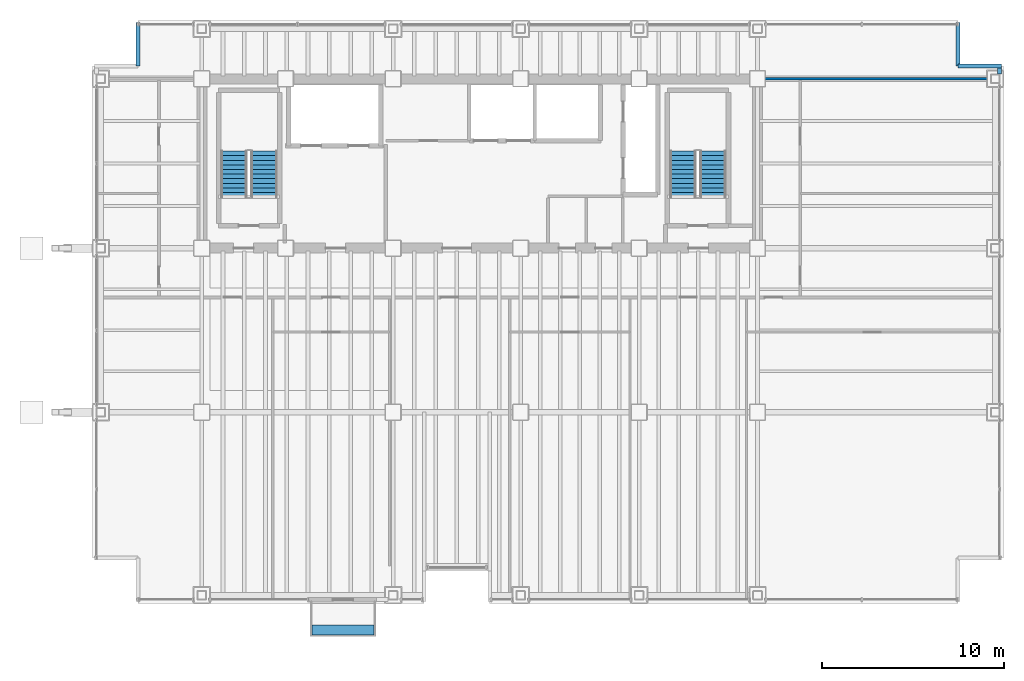
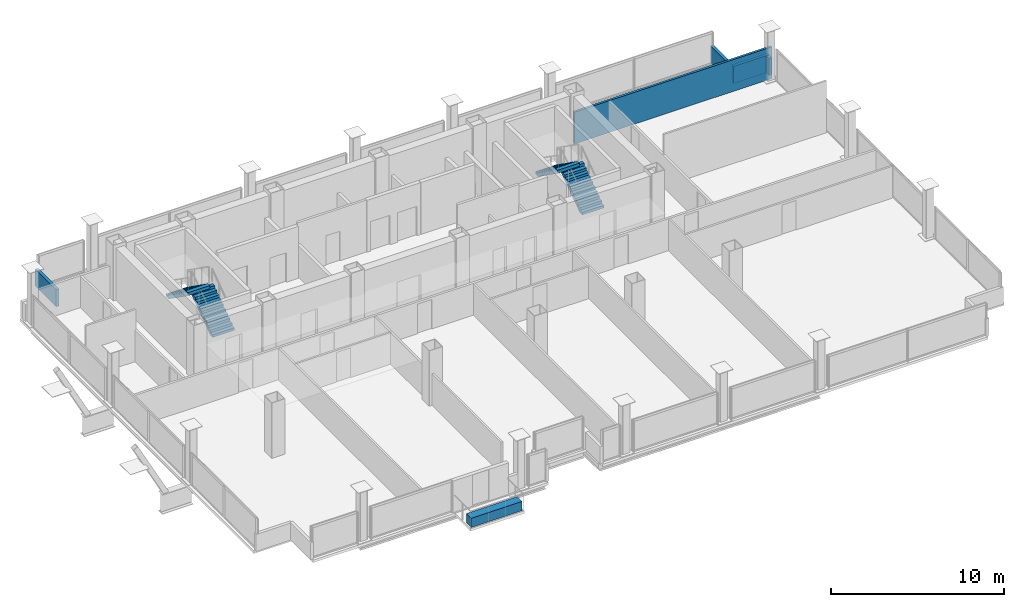
# One storey, part 20 of 21: 5 walls, 4 stair flights, 1 discrete accessory, 2 elements without a shape of their own.
"""IFC4 building model written with IfcOpenShell, lengths in metres."""

from ifc_helpers import new_model, si_unit, direction, frame, frame_2d, origin, origin_2d, place, context, subcontext, project, spatial, polyline, rectangle, outline, extrude, material, layer, layer_set, type_object, element, aggregate, save


model = new_model("IFC4")

# Units and contexts
model_context = context("Model", 3, precision=1e-05, world=origin(), true_north=direction((0.0, 1.0)))
body_context = subcontext(model_context, "Body", "Model", "MODEL_VIEW")
ifc_project = project(units=[si_unit("LENGTHUNIT", "METRE"), si_unit("AREAUNIT", "SQUARE_METRE"), si_unit("VOLUMEUNIT", "CUBIC_METRE"), si_unit("PLANEANGLEUNIT", "RADIAN"), si_unit("MASSUNIT", "GRAM", prefix="KILO")], contexts=[model_context])

# Site, building, storey
site_placement = place(None, origin())
site = spatial("IfcSite", under=ifc_project, at=site_placement, CompositionType="ELEMENT")
building_placement = place(site_placement, origin())
building = spatial("IfcBuilding", under=site, at=building_placement, Name="Noeulbin Bourse Tower", CompositionType="ELEMENT")
storey_placement = place(building_placement, frame((0.0, 0.0, 111.0)))
storey = spatial("IfcBuildingStorey", under=building, at=storey_placement, Name="L27", CompositionType="ELEMENT", Elevation=111.0)

# Walls
ifc_material_1 = material(Name="Concrete C40/50", Category="concrete")
ifc_layer_1 = layer(ifc_material_1, 0.199951171875)
ifc_layer_set_1 = layer_set([ifc_layer_1], Name="Concrete C40/50")
wall_type_1 = type_object("IfcWallType", Name="WAL-PAR-200", PredefinedType="PARAPET", material=ifc_layer_set_1)
wall_1_placement = place(storey_placement, frame((57.280029296875, 38.570068359375, 0.0), z_axis=(0.0, 0.0, 1.0), x_axis=(0.0, 1.0, 0.0)))
element("IfcWall", 1, at=wall_1_placement, inside=storey, type_object=wall_type_1, Name="Perimeter Pier Spandrel Parapet L27-E2", PredefinedType="PARAPET", context=body_context, shape_type="SweptSolid", body=[
    extrude(rectangle(XDim=0.329833984375, YDim=0.199951171875, at=frame_2d((0.1650390625, 0.0))), origin(), (0.0, 0.0, 1.0), 1.199951171875),
])
for number, where, z_axis, x_axis, name in (
    (2, (10.0, 39.0, 0.0), (0.0, 0.0, 1.0), (0.0, 1.0, 0.0), "Corner Notch Parapet L27-NW2"),
    (3, (55.0, 41.39990234375, 0.0), (0.0, 0.0, 1.0), (0.0, -1.0, 0.0), "Corner Notch Parapet L27-NE1"),
    (4, (55.0, 39.0, 0.0), (0.0, 0.0, 1.0), (1.0, 0.0, 0.0), "Corner Notch Parapet L27-NE2"),
):
    element("IfcWall", number, at=place(storey_placement, frame(where, z_axis=z_axis, x_axis=x_axis)), inside=storey, type_object=wall_type_1, Name=name, PredefinedType="PARAPET", context=body_context, shape_type="SweptSolid", body=[
        extrude(rectangle(XDim=2.39990234375, YDim=0.199951171875, at=frame_2d((1.199951171875, 0.0))), origin(), (0.0, 0.0, 1.0), 1.199951171875),
    ])
ifc_material_2 = material(Name="Steel Stud Acoustic Gypsum Board", Category="steel")
ifc_layer_2 = layer(ifc_material_2, 0.14990234375)
ifc_layer_set_2 = layer_set([ifc_layer_2], Name="Steel Stud Acoustic Gypsum Board")
wall_type_2 = type_object("IfcWallType", Name="WAL-PRT-150", PredefinedType="PARTITIONING", material=ifc_layer_set_2)
wall_2_placement = place(storey_placement, frame((44.0, 38.300048828125, 0.0), z_axis=(0.0, 0.0, 1.0), x_axis=(1.0, 0.0, 0.0)))
element("IfcWall", 5, at=wall_2_placement, inside=storey, type_object=wall_type_2, Name="Interior Partition Wall L27-06", PredefinedType="PARTITIONING", context=body_context, shape_type="SweptSolid", body=[
    extrude(rectangle(XDim=13.18994140625, YDim=0.14990234375, at=frame_2d((6.594970703125, 0.0))), origin(), (0.0, 0.0, 1.0), 2.239990234375),
])

# Stair, stair flights
stair_type = type_object("IfcStairType", Name="STR-CORE-1560", PredefinedType="HALF_TURN_STAIR", material=ifc_material_1)
stair_1_placement = place(storey_placement, origin())
stair_1 = element("IfcStair", 6, at=stair_1_placement, inside=storey, type_object=stair_type, Name="L27 ST-1", PredefinedType="HALF_TURN_STAIR")
stair_flight_type = type_object("IfcStairFlightType", Name="SFL-CORE-1560", PredefinedType="STRAIGHT", material=ifc_material_1)
stair_flight_1_placement = place(storey_placement, frame((16.925048828125, 31.81005859375, 0.0), z_axis=(0.0, 0.0, 1.0), x_axis=(0.0, 1.0, 0.0)))
stair_flight_1 = element("IfcStairFlight", 7, at=stair_flight_1_placement, type_object=stair_flight_type, Name="ST-1 flight 1", NumberOfRisers=11, NumberOfTreads=10, PredefinedType="STRAIGHT", RiserHeight=0.177272727, TreadLength=0.252, context=body_context, shape_type="SweptSolid", body=[
    extrude(outline(polyline([(0.0, 0.0), (0.0, 0.17724609375), (0.251953125, 0.17724609375), (0.251953125, 0.3544921875), (0.50390625, 0.3544921875), (0.50390625, 0.53173828125), (0.756103515625, 0.53173828125), (0.756103515625, 0.708984375), (1.008056640625, 0.708984375), (1.008056640625, 0.886474609375), (1.260009765625, 0.886474609375), (1.260009765625, 1.063720703125), (1.511962890625, 1.063720703125), (1.511962890625, 1.240966796875), (1.763916015625, 1.240966796875), (1.763916015625, 1.418212890625), (2.01611328125, 1.418212890625), (2.01611328125, 1.595458984375), (2.26806640625, 1.595458984375), (2.26806640625, 1.772705078125), (2.52001953125, 1.772705078125), (2.52001953125, 1.949951171875), (2.52001953125, 1.552734375), (0.312744140625, 0.0), (0.0, 0.0)])), frame((0.0, 0.72509765625, 0.0), z_axis=(0.0, -1.0, 0.0), x_axis=(1.0, 0.0, 0.0)), (0.0, 0.0, 1.0), 1.449951171875),
])
stair_flight_2_placement = place(storey_placement, frame((15.27490234375, 34.330078125, 1.949951171875), z_axis=(0.0, 0.0, 1.0), x_axis=(0.0, -1.0, 0.0)))
stair_flight_2 = element("IfcStairFlight", 8, at=stair_flight_2_placement, type_object=stair_flight_type, Name="ST-1 flight 2", NumberOfRisers=11, NumberOfTreads=10, PredefinedType="STRAIGHT", RiserHeight=0.177272727, TreadLength=0.252, context=body_context, shape_type="SweptSolid", body=[
    extrude(outline(polyline([(0.0, 0.0), (0.0, 0.17724609375), (0.251953125, 0.17724609375), (0.251953125, 0.3544921875), (0.50390625, 0.3544921875), (0.50390625, 0.53173828125), (0.756103515625, 0.53173828125), (0.756103515625, 0.708984375), (1.008056640625, 0.708984375), (1.008056640625, 0.886474609375), (1.260009765625, 0.886474609375), (1.260009765625, 1.063720703125), (1.511962890625, 1.063720703125), (1.511962890625, 1.240966796875), (1.763916015625, 1.240966796875), (1.763916015625, 1.418212890625), (2.01611328125, 1.418212890625), (2.01611328125, 1.595458984375), (2.26806640625, 1.595458984375), (2.26806640625, 1.772705078125), (2.52001953125, 1.772705078125), (2.52001953125, 1.949951171875), (2.52001953125, 1.552734375), (0.312744140625, 0.0), (0.0, 0.0)])), frame((0.0, 0.72509765625, 0.0), z_axis=(0.0, -1.0, 0.0), x_axis=(1.0, 0.0, 0.0)), (0.0, 0.0, 1.0), 1.449951171875),
])
aggregate(stair_1, [stair_flight_1, stair_flight_2])

stair_2_placement = place(storey_placement, origin())
stair_2 = element("IfcStair", 9, at=stair_2_placement, inside=storey, type_object=stair_type, Name="L27 ST-2", PredefinedType="HALF_TURN_STAIR")
stair_flight_3_placement = place(storey_placement, frame((41.554931640625, 31.81005859375, 0.0), z_axis=(0.0, 0.0, 1.0), x_axis=(0.0, 1.0, 0.0)))
stair_flight_3 = element("IfcStairFlight", 10, at=stair_flight_3_placement, type_object=stair_flight_type, Name="ST-2 flight 1", NumberOfRisers=11, NumberOfTreads=10, PredefinedType="STRAIGHT", RiserHeight=0.177272727, TreadLength=0.252, context=body_context, shape_type="SweptSolid", body=[
    extrude(outline(polyline([(0.0, 0.0), (0.0, 0.17724609375), (0.251953125, 0.17724609375), (0.251953125, 0.3544921875), (0.50390625, 0.3544921875), (0.50390625, 0.53173828125), (0.756103515625, 0.53173828125), (0.756103515625, 0.708984375), (1.008056640625, 0.708984375), (1.008056640625, 0.886474609375), (1.260009765625, 0.886474609375), (1.260009765625, 1.063720703125), (1.511962890625, 1.063720703125), (1.511962890625, 1.240966796875), (1.763916015625, 1.240966796875), (1.763916015625, 1.418212890625), (2.01611328125, 1.418212890625), (2.01611328125, 1.595458984375), (2.26806640625, 1.595458984375), (2.26806640625, 1.772705078125), (2.52001953125, 1.772705078125), (2.52001953125, 1.949951171875), (2.52001953125, 1.552734375), (0.312744140625, 0.0), (0.0, 0.0)])), frame((0.0, 0.72509765625, 0.0), z_axis=(0.0, -1.0, 0.0), x_axis=(1.0, 0.0, 0.0)), (0.0, 0.0, 1.0), 1.449951171875),
])
stair_flight_4_placement = place(storey_placement, frame((39.905029296875, 34.330078125, 1.949951171875), z_axis=(0.0, 0.0, 1.0), x_axis=(0.0, -1.0, 0.0)))
stair_flight_4 = element("IfcStairFlight", 11, at=stair_flight_4_placement, type_object=stair_flight_type, Name="ST-2 flight 2", NumberOfRisers=11, NumberOfTreads=10, PredefinedType="STRAIGHT", RiserHeight=0.177272727, TreadLength=0.252, context=body_context, shape_type="SweptSolid", body=[
    extrude(outline(polyline([(0.0, 0.0), (0.0, 0.17724609375), (0.251953125, 0.17724609375), (0.251953125, 0.3544921875), (0.50390625, 0.3544921875), (0.50390625, 0.53173828125), (0.756103515625, 0.53173828125), (0.756103515625, 0.708984375), (1.008056640625, 0.708984375), (1.008056640625, 0.886474609375), (1.260009765625, 0.886474609375), (1.260009765625, 1.063720703125), (1.511962890625, 1.063720703125), (1.511962890625, 1.240966796875), (1.763916015625, 1.240966796875), (1.763916015625, 1.418212890625), (2.01611328125, 1.418212890625), (2.01611328125, 1.595458984375), (2.26806640625, 1.595458984375), (2.26806640625, 1.772705078125), (2.52001953125, 1.772705078125), (2.52001953125, 1.949951171875), (2.52001953125, 1.552734375), (0.312744140625, 0.0), (0.0, 0.0)])), frame((0.0, 0.72509765625, 0.0), z_axis=(0.0, -1.0, 0.0), x_axis=(1.0, 0.0, 0.0)), (0.0, 0.0, 1.0), 1.449951171875),
])
aggregate(stair_2, [stair_flight_3, stair_flight_4])

# Discrete accessory
ifc_material_3 = material(Name="Architectural GFRC Concrete C40/50", Category="concrete")
ifc_layer_3 = layer(ifc_material_3, 0.64990234375)
ifc_layer_set_3 = layer_set([ifc_layer_3], Name="Architectural GFRC Concrete C40/50")
discrete_accessory_type = type_object("IfcDiscreteAccessoryType", Name="PLANTER-BOX-3600", PredefinedType="USERDEFINED", material=ifc_layer_set_3)
discrete_accessory_placement = place(storey_placement, frame((21.25, 8.06005859375, 0.0), z_axis=(0.0, 0.0, 1.0), x_axis=(1.0, 0.0, 0.0)))
element("IfcDiscreteAccessory", 12, at=discrete_accessory_placement, inside=storey, type_object=discrete_accessory_type, Name="Integrated Balcony Tree Planter Box L27", ObjectType="PLANTER", PredefinedType="USERDEFINED", context=body_context, shape_type="SweptSolid", body=[
    extrude(rectangle(XDim=3.39990234375, YDim=0.550048828125, at=origin_2d()), origin(), (0.0, 0.0, 1.0), 0.64990234375),
])

save(model, "model.ifc")
